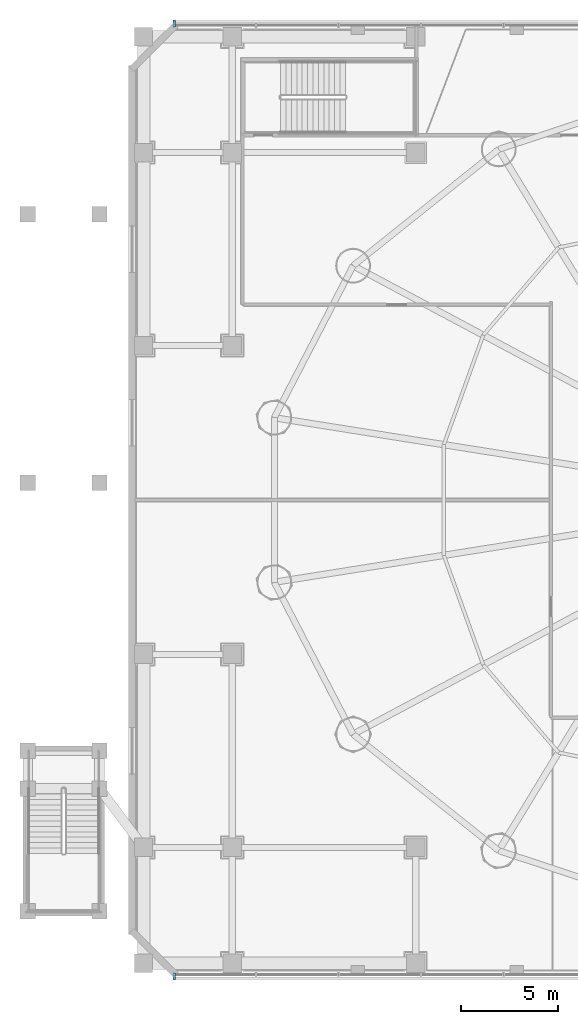
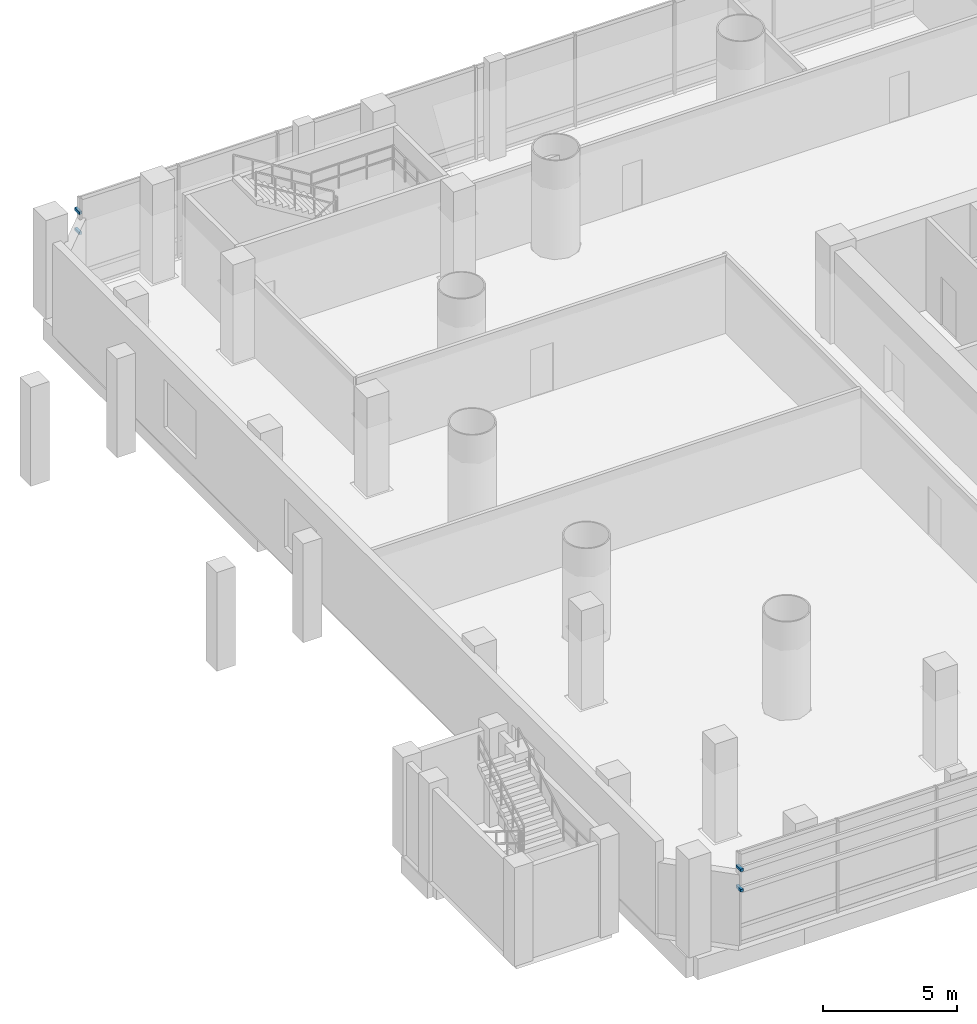
# One storey, part 25 of 36: 4 discrete accessories.
"""IFC4 building model written with IfcOpenShell, lengths in metres."""

from ifc_helpers import new_model, si_unit, direction, frame, origin, origin_2d, place, context, subcontext, project, spatial, rectangle, extrude, source, transform, mapped, material, layer, layer_set, type_object, element, save


model = new_model("IFC4")

# Units and contexts
model_context = context("Model", 3, precision=1e-05, world=origin(), true_north=direction((-0.2419218956, 0.970295726276)))
body_context = subcontext(model_context, "Body", "Model", "MODEL_VIEW")
ifc_project = project(units=[si_unit("LENGTHUNIT", "METRE"), si_unit("AREAUNIT", "SQUARE_METRE"), si_unit("VOLUMEUNIT", "CUBIC_METRE"), si_unit("PLANEANGLEUNIT", "RADIAN"), si_unit("MASSUNIT", "GRAM", prefix="KILO")], contexts=[model_context])

# Site, building, storey
site_placement = place(None, origin())
site = spatial("IfcSite", under=ifc_project, at=site_placement, CompositionType="ELEMENT")
building_placement = place(site_placement, origin())
building = spatial("IfcBuilding", under=site, at=building_placement, Name="Cobrevalo Terracotta Tower", CompositionType="ELEMENT")
storey_placement = place(building_placement, frame((0.0, 0.0, 5.39990234375)))
storey = spatial("IfcBuildingStorey", under=building, at=storey_placement, Name="L01", CompositionType="ELEMENT", Elevation=5.39990234375)

# Discrete accessories
ifc_material = material(Name="Brushed stainless steel", Category="steel")
ifc_layer = layer(ifc_material, 0.1201171875)
ifc_layer_set = layer_set([ifc_layer], Name="Brushed stainless steel")
discrete_accessory_type = type_object("IfcDiscreteAccessoryType", Name="Stainless Steel Facade & Canopy Support Bracket", PredefinedType="BRACKET", material=ifc_layer_set)
shared_shape = source(origin(), body_context, "Body", "SweptSolid", [
    extrude(rectangle(XDim=0.1201171875, YDim=0.360107421875, at=origin_2d()), origin(), (0.0, 0.0, 1.0), 0.1201171875),
])
for number, where, z_axis, x_axis, name in (
    (1, (5.989990234375, 2.110107421875, 2.5439453125), (0.0, 0.0, 1.0), (1.0, 0.0, 0.0), "CW-POD-L01-S stainless baguette support bracket 1-A"),
    (2, (5.989990234375, 2.110107421875, 3.468017578125), (0.0, 0.0, 1.0), (1.0, 0.0, 0.0), "CW-POD-L01-S stainless baguette support bracket 2-A"),
    (3, (5.989990234375, 51.489990234375, 2.5439453125), (0.0, 0.0, 1.0), (-1.0, 0.0, 0.0), "CW-POD-L01-N stainless baguette support bracket 1-B"),
    (4, (5.989990234375, 51.489990234375, 3.468017578125), (0.0, 0.0, 1.0), (-1.0, 0.0, 0.0), "CW-POD-L01-N stainless baguette support bracket 2-B"),
):
    element("IfcDiscreteAccessory", number, at=place(storey_placement, frame(where, z_axis=z_axis, x_axis=x_axis)), inside=storey, type_object=discrete_accessory_type, Name=name, PredefinedType="BRACKET", context=body_context, shape_type="MappedRepresentation", body=[
        mapped(shared_shape, transform((0.0, 0.0, 0.0), scale=1.0)),
    ])

save(model, "model.ifc")
